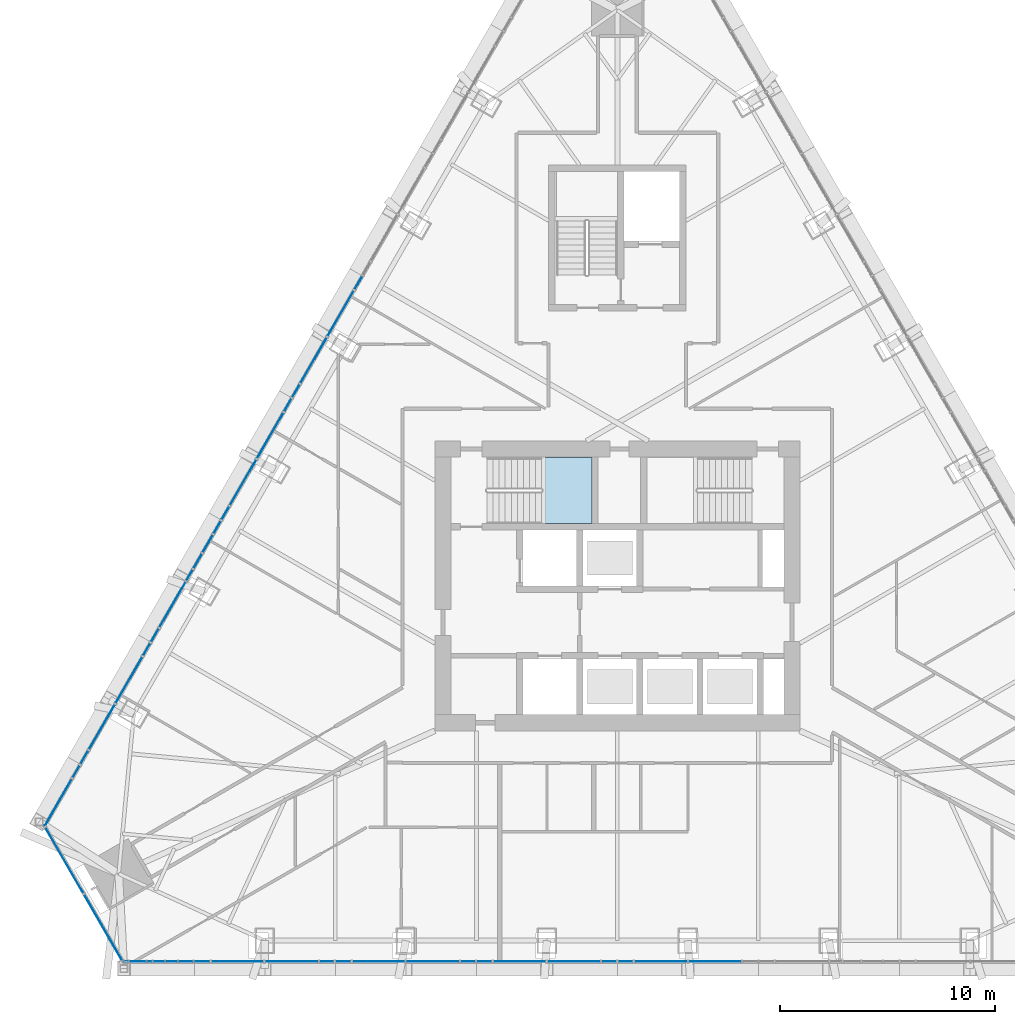
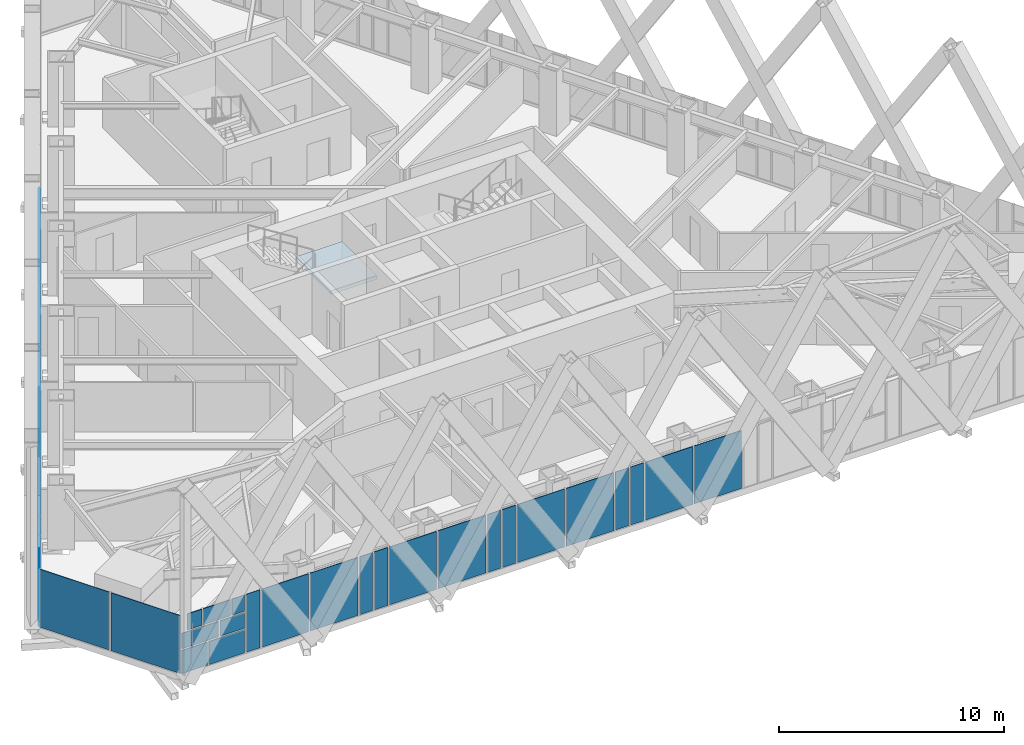
# One storey, part 14 of 25: 45 plates, 1 slab, 4 elements without a shape of their own.
"""IFC4 building model written with IfcOpenShell, lengths in metres."""

from ifc_helpers import new_model, si_unit, direction, frame, origin, place, context, subcontext, project, spatial, polyline, outline, extrude, material, layer, layer_set, type_object, element, aggregate, save


model = new_model("IFC4")

# Units and contexts
model_context = context("Model", 3, precision=1e-05, world=origin(), true_north=direction((0.0, 1.0)))
body_context = subcontext(model_context, "Body", "Model", "MODEL_VIEW")
ifc_project = project(units=[si_unit("LENGTHUNIT", "METRE"), si_unit("AREAUNIT", "SQUARE_METRE"), si_unit("VOLUMEUNIT", "CUBIC_METRE"), si_unit("PLANEANGLEUNIT", "RADIAN"), si_unit("MASSUNIT", "GRAM", prefix="KILO")], contexts=[model_context])

# Site, building, storey
site_placement = place(None, origin())
site = spatial("IfcSite", under=ifc_project, at=site_placement, CompositionType="ELEMENT")
building_placement = place(site_placement, origin())
building = spatial("IfcBuilding", under=site, at=building_placement, Name="Firuza Gate Tower and Library", CompositionType="ELEMENT")
storey_placement = place(building_placement, frame((0.0, 0.0, 270.60009765625)))
storey = spatial("IfcBuildingStorey", under=building, at=storey_placement, Name="L64", CompositionType="ELEMENT", Elevation=270.60009765625)

# Curtain wall, plates
ifc_material_1 = material(Name="Aluminium 6063-T6", Category="aluminium")
ifc_layer_1 = layer(ifc_material_1, 0.14990234375)
ifc_layer_set_1 = layer_set([ifc_layer_1], Name="Corner curtain wall, chamfers")
curtain_wall_type_1 = type_object("IfcCurtainWallType", Name="Corner curtain wall, chamfers", PredefinedType="NOTDEFINED", material=ifc_layer_set_1)
placement = place(storey_placement, origin())
curtain_wall_1 = element("IfcCurtainWall", 1, at=placement, inside=storey, type_object=curtain_wall_type_1, Name="CW4 L64 SW corner", PredefinedType="NOTDEFINED")
ifc_material_2 = material(Name="Fritted glass", Category="glass")
ifc_layer_2 = layer(ifc_material_2, 0.030029296875)
ifc_layer_set_2 = layer_set([ifc_layer_2], Name="Fritted glass unit, corners")
plate_type_1 = type_object("IfcPlateType", Name="Fritted glass unit, corners", PredefinedType="CURTAIN_PANEL", material=ifc_layer_set_2)
plate_1_placement = place(storey_placement, frame((48.341796875, 63.76953125, 0.14990234375), z_axis=(-0.866046390552, -0.49996364809, 0.0), x_axis=(0.49996364809, -0.866046390552, 0.0)))
plate_1 = element("IfcPlate", 2, at=plate_1_placement, type_object=plate_type_1, Name="Glass unit", PredefinedType="CURTAIN_PANEL", context=body_context, shape_type="SweptSolid", body=[
    extrude(outline(polyline([(0.0, 0.0), (3.563247342942594, 0.0), (3.563247342942594, 3.14990234375), (0.0, 3.14990234375), (0.0, 0.0)])), origin(), (0.0, 0.0, -1.0), 0.030029296875),
])
plate_2_placement = place(storey_placement, frame((50.163330078125, 60.614501953125, 0.14990234375), z_axis=(-0.866016723041, -0.500015035186, 0.0), x_axis=(0.500015035186, -0.866016723041, 0.0)))
plate_2 = element("IfcPlate", 3, at=plate_2_placement, type_object=plate_type_1, Name="Glass unit", PredefinedType="CURTAIN_PANEL", context=body_context, shape_type="SweptSolid", body=[
    extrude(outline(polyline([(0.0, 0.0), (3.5633694106530625, 0.0), (3.5633694106530625, 3.14990234375), (0.0, 3.14990234375), (0.0, 0.0)])), origin(), (0.0, 0.0, -1.0), 0.030029296875),
])
aggregate(curtain_wall_1, [plate_1, plate_2])

ifc_material_3 = material(Name="Aluminium 6063-T6", Category="aluminium")
ifc_layer_3 = layer(ifc_material_3, 0.14990234375)
ifc_layer_set_3 = layer_set([ifc_layer_3], Name="Unitised curtain wall, residences")
curtain_wall_type_2 = type_object("IfcCurtainWallType", Name="Unitised curtain wall, residences", PredefinedType="NOTDEFINED", material=ifc_layer_set_3)
curtain_wall_2 = element("IfcCurtainWall", 4, at=placement, inside=storey, type_object=curtain_wall_type_2, Name="CW3 L64 S face", PredefinedType="NOTDEFINED")
ifc_material_4 = material(Name="Fritted glass", Category="glass")
ifc_layer_4 = layer(ifc_material_4, 0.030029296875)
ifc_layer_set_4 = layer_set([ifc_layer_4], Name="Fritted glass unit, residences")
plate_type_2 = type_object("IfcPlateType", Name="Fritted glass unit, residences", PredefinedType="CURTAIN_PANEL", material=ifc_layer_set_4)
plate_3_placement = place(storey_placement, frame((53.400634765625, 57.486328125, 0.14990234375), z_axis=(0.0, -1.0, 0.0), x_axis=(1.0, 0.0, 0.0)))
plate_3 = element("IfcPlate", 5, at=plate_3_placement, type_object=plate_type_2, Name="Glass unit", PredefinedType="CURTAIN_PANEL", context=body_context, shape_type="SweptSolid", body=[
    extrude(outline(polyline([(0.0, 0.0), (1.826171875, 0.0), (1.826171875, 1.260009765625), (0.0, 1.260009765625), (0.0, 0.0)])), origin(), (0.0, 0.0, -1.0), 0.030029296875),
])
plate_4_placement = place(storey_placement, frame((53.97900390625, 57.486328125, 1.489990234375), z_axis=(0.0, -1.0, 0.0), x_axis=(1.0, 0.0, 0.0)))
plate_4 = element("IfcPlate", 6, at=plate_4_placement, type_object=plate_type_2, Name="Glass unit", PredefinedType="CURTAIN_PANEL", context=body_context, shape_type="SweptSolid", body=[
    extrude(outline(polyline([(0.0, 0.0), (1.247802734375, 0.0), (1.247802734375, 0.844970703125), (0.0, 0.844970703125), (0.0, 0.0)])), origin(), (0.0, 0.0, -1.0), 0.030029296875),
])
plate_5_placement = place(storey_placement, frame((52.2841796875, 57.486328125, 2.414794921875), z_axis=(0.0, -1.0, 0.0), x_axis=(1.0, 0.0, 0.0)))
plate_5 = element("IfcPlate", 7, at=plate_5_placement, type_object=plate_type_2, Name="Glass unit", PredefinedType="CURTAIN_PANEL", context=body_context, shape_type="SweptSolid", body=[
    extrude(outline(polyline([(0.0, 0.0), (0.74951171875, 0.0), (0.74951171875, 0.885009765625), (0.0, 0.885009765625), (0.0, 0.0)])), origin(), (0.0, 0.0, -1.0), 0.030029296875),
])
plate_6_placement = place(storey_placement, frame((54.58251953125, 57.486328125, 2.414794921875), z_axis=(0.0, -1.0, 0.0), x_axis=(1.0, 0.0, 0.0)))
plate_6 = element("IfcPlate", 8, at=plate_6_placement, type_object=plate_type_2, Name="Glass unit", PredefinedType="CURTAIN_PANEL", context=body_context, shape_type="SweptSolid", body=[
    extrude(outline(polyline([(0.0, 0.0), (0.644287109375, 0.0), (0.644287109375, 0.885009765625), (0.0, 0.885009765625), (0.0, 0.0)])), origin(), (0.0, 0.0, -1.0), 0.030029296875),
])
plate_7_placement = place(storey_placement, frame((55.306884765625, 57.486328125, 0.14990234375), z_axis=(0.0, -1.0, 0.0), x_axis=(1.0, 0.0, 0.0)))
plate_7 = element("IfcPlate", 9, at=plate_7_placement, type_object=plate_type_2, Name="Glass unit", PredefinedType="CURTAIN_PANEL", context=body_context, shape_type="SweptSolid", body=[
    extrude(outline(polyline([(0.0, 0.0), (0.718505859375, 0.0), (0.718505859375, 3.14990234375), (0.0, 3.14990234375), (0.0, 0.0)])), origin(), (0.0, 0.0, -1.0), 0.030029296875),
])
plate_8_placement = place(storey_placement, frame((61.14794921875, 57.486328125, 0.14990234375), z_axis=(0.0, -1.0, 0.0), x_axis=(1.0, 0.0, 0.0)))
plate_8 = element("IfcPlate", 10, at=plate_8_placement, type_object=plate_type_2, Name="Glass unit", PredefinedType="CURTAIN_PANEL", context=body_context, shape_type="SweptSolid", body=[
    extrude(outline(polyline([(0.0, 0.0), (0.65673828125, 0.0), (0.65673828125, 3.14990234375), (0.0, 3.14990234375), (0.0, 0.0)])), origin(), (0.0, 0.0, -1.0), 0.030029296875),
])
plate_9_placement = place(storey_placement, frame((61.884521484375, 57.486328125, 0.14990234375), z_axis=(0.0, -1.0, 0.0), x_axis=(1.0, 0.0, 0.0)))
plate_9 = element("IfcPlate", 11, at=plate_9_placement, type_object=plate_type_2, Name="Glass unit", PredefinedType="CURTAIN_PANEL", context=body_context, shape_type="SweptSolid", body=[
    extrude(outline(polyline([(0.0, 0.0), (0.706298828125, 0.0), (0.706298828125, 3.14990234375), (0.0, 3.14990234375), (0.0, 0.0)])), origin(), (0.0, 0.0, -1.0), 0.030029296875),
])
plate_10_placement = place(storey_placement, frame((67.713134765625, 57.486328125, 0.14990234375), z_axis=(0.0, -1.0, 0.0), x_axis=(1.0, 0.0, 0.0)))
plate_10 = element("IfcPlate", 12, at=plate_10_placement, type_object=plate_type_2, Name="Glass unit", PredefinedType="CURTAIN_PANEL", context=body_context, shape_type="SweptSolid", body=[
    extrude(outline(polyline([(0.0, 0.0), (0.669189453125, 0.0), (0.669189453125, 3.14990234375), (0.0, 3.14990234375), (0.0, 0.0)])), origin(), (0.0, 0.0, -1.0), 0.030029296875),
])
plate_11_placement = place(storey_placement, frame((68.46240234375, 57.486328125, 0.14990234375), z_axis=(0.0, -1.0, 0.0), x_axis=(1.0, 0.0, 0.0)))
plate_11 = element("IfcPlate", 13, at=plate_11_placement, type_object=plate_type_2, Name="Glass unit", PredefinedType="CURTAIN_PANEL", context=body_context, shape_type="SweptSolid", body=[
    extrude(outline(polyline([(0.0, 0.0), (0.69384765625, 0.0), (0.69384765625, 3.14990234375), (0.0, 3.14990234375), (0.0, 0.0)])), origin(), (0.0, 0.0, -1.0), 0.030029296875),
])
plate_12_placement = place(storey_placement, frame((74.278564453125, 57.486328125, 0.14990234375), z_axis=(0.0, -1.0, 0.0), x_axis=(1.0, 0.0, 0.0)))
plate_12 = element("IfcPlate", 14, at=plate_12_placement, type_object=plate_type_2, Name="Glass unit", PredefinedType="CURTAIN_PANEL", context=body_context, shape_type="SweptSolid", body=[
    extrude(outline(polyline([(0.0, 0.0), (0.681396484375, 0.0), (0.681396484375, 3.14990234375), (0.0, 3.14990234375), (0.0, 0.0)])), origin(), (0.0, 0.0, -1.0), 0.030029296875),
])
plate_13_placement = place(storey_placement, frame((75.0400390625, 57.486328125, 0.14990234375), z_axis=(0.0, -1.0, 0.0), x_axis=(1.0, 0.0, 0.0)))
plate_13 = element("IfcPlate", 15, at=plate_13_placement, type_object=plate_type_2, Name="Glass unit", PredefinedType="CURTAIN_PANEL", context=body_context, shape_type="SweptSolid", body=[
    extrude(outline(polyline([(0.0, 0.0), (0.681396484375, 0.0), (0.681396484375, 3.14990234375), (0.0, 3.14990234375), (0.0, 0.0)])), origin(), (0.0, 0.0, -1.0), 0.030029296875),
])

curtain_wall_3 = element("IfcCurtainWall", 16, at=placement, inside=storey, type_object=curtain_wall_type_2, Name="CW3 L64 W face", PredefinedType="NOTDEFINED")
plate_14_placement = place(storey_placement, frame((63.1015625, 89.418701171875, 0.14990234375), z_axis=(-0.866091865907, 0.499884866553, 0.0), x_axis=(-0.499884866553, -0.866091865907, 0.0)))
plate_14 = element("IfcPlate", 17, at=plate_14_placement, type_object=plate_type_2, Name="Glass unit", PredefinedType="CURTAIN_PANEL", context=body_context, shape_type="SweptSolid", body=[
    extrude(outline(polyline([(0.0, 0.0), (0.6940074631924555, 0.0), (0.6940074631924555, 3.14990234375), (0.0, 3.14990234375), (0.0, 0.0)])), origin(), (0.0, 0.0, -1.0), 0.030029296875),
])
plate_15_placement = place(storey_placement, frame((60.193359375, 84.381591796875, 0.14990234375), z_axis=(-0.866096087798, 0.499877551708, 0.0), x_axis=(-0.499877551708, -0.866096087798, 0.0)))
plate_15 = element("IfcPlate", 18, at=plate_15_placement, type_object=plate_type_2, Name="Glass unit", PredefinedType="CURTAIN_PANEL", context=body_context, shape_type="SweptSolid", body=[
    extrude(outline(polyline([(0.0, 0.0), (0.6813191964940453, 0.0), (0.6813191964940453, 3.14990234375), (0.0, 3.14990234375), (0.0, 0.0)])), origin(), (0.0, 0.0, -1.0), 0.030029296875),
])
plate_16_placement = place(storey_placement, frame((59.812744140625, 83.72216796875, 0.14990234375), z_axis=(-0.865940935554, 0.500146274735, 0.0), x_axis=(-0.500146274735, -0.865940935554, 0.0)))
plate_16 = element("IfcPlate", 19, at=plate_16_placement, type_object=plate_type_2, Name="Glass unit", PredefinedType="CURTAIN_PANEL", context=body_context, shape_type="SweptSolid", body=[
    extrude(outline(polyline([(0.0, 0.0), (0.681441269717985, 0.0), (0.681441269717985, 3.14990234375), (0.0, 3.14990234375), (0.0, 0.0)])), origin(), (0.0, 0.0, -1.0), 0.030029296875),
])
plate_17_placement = place(storey_placement, frame((56.910888671875, 78.69580078125, 0.14990234375), z_axis=(-0.86600392025, 0.500037208726, 0.0), x_axis=(-0.500037208726, -0.86600392025, 0.0)))
plate_17 = element("IfcPlate", 20, at=plate_17_placement, type_object=plate_type_2, Name="Glass unit", PredefinedType="CURTAIN_PANEL", context=body_context, shape_type="SweptSolid", body=[
    extrude(outline(polyline([(0.0, 0.0), (0.6937960257169237, 0.0), (0.6937960257169237, 3.14990234375), (0.0, 3.14990234375), (0.0, 0.0)])), origin(), (0.0, 0.0, -1.0), 0.030029296875),
])
plate_18_placement = place(storey_placement, frame((56.52392578125, 78.025634765625, 0.14990234375), z_axis=(-0.865970040115, 0.500095880429, 0.0), x_axis=(-0.500095880429, -0.865970040115, 0.0)))
plate_18 = element("IfcPlate", 21, at=plate_18_placement, type_object=plate_type_2, Name="Glass unit", PredefinedType="CURTAIN_PANEL", context=body_context, shape_type="SweptSolid", body=[
    extrude(outline(polyline([(0.0, 0.0), (1.6788772758018005, 0.0), (1.6788772758018005, 1.534912109375), (0.0, 1.534912109375), (0.0, 0.0)])), origin(), (0.0, 0.0, -1.0), 0.030029296875),
])
plate_19_placement = place(storey_placement, frame((56.52392578125, 78.025634765625, 1.764892578125), z_axis=(-0.865875610315, 0.500259360194, 0.0), x_axis=(-0.500259360194, -0.865875610315, 0.0)))
plate_19 = element("IfcPlate", 22, at=plate_19_placement, type_object=plate_type_2, Name="Glass unit", PredefinedType="CURTAIN_PANEL", context=body_context, shape_type="SweptSolid", body=[
    extrude(outline(polyline([(0.0, 0.0), (0.6690865249275766, 0.0), (0.6690865249275766, 1.534912109375), (0.0, 1.534912109375), (0.0, 0.0)])), origin(), (0.0, 0.0, -1.0), 0.030029296875),
])
plate_20_placement = place(storey_placement, frame((55.211669921875, 75.7529296875, 1.764892578125), z_axis=(-0.865997745606, 0.500047902311, 0.0), x_axis=(-0.500047902311, -0.865997745606, 0.0)))
plate_20 = element("IfcPlate", 23, at=plate_20_placement, type_object=plate_type_2, Name="Glass unit", PredefinedType="CURTAIN_PANEL", context=body_context, shape_type="SweptSolid", body=[
    extrude(outline(polyline([(0.0, 0.0), (0.5844166664324071, 0.0), (0.5844166664324071, 1.534912109375), (0.0, 1.534912109375), (0.0, 0.0)])), origin(), (0.0, 0.0, -1.0), 0.030029296875),
])
plate_21_placement = place(storey_placement, frame((53.628173828125, 73.01025390625, 0.14990234375), z_axis=(-0.866001427184, 0.500041526391, 0.0), x_axis=(-0.500041526391, -0.866001427184, 0.0)))
plate_21 = element("IfcPlate", 24, at=plate_21_placement, type_object=plate_type_2, Name="Glass unit", PredefinedType="CURTAIN_PANEL", context=body_context, shape_type="SweptSolid", body=[
    extrude(outline(polyline([(0.0, 0.0), (0.7064842932643166, 0.0), (0.7064842932643166, 3.14990234375), (0.0, 3.14990234375), (0.0, 0.0)])), origin(), (0.0, 0.0, -1.0), 0.030029296875),
])
plate_22_placement = place(storey_placement, frame((53.235107421875, 72.329345703125, 0.14990234375), z_axis=(-0.866061796884, 0.499936960004, 0.0), x_axis=(-0.499936960004, -0.866061796884, 0.0)))
plate_22 = element("IfcPlate", 25, at=plate_22_placement, type_object=plate_type_2, Name="Glass unit", PredefinedType="CURTAIN_PANEL", context=body_context, shape_type="SweptSolid", body=[
    extrude(outline(polyline([(0.0, 0.0), (0.6568210932483207, 0.0), (0.6568210932483207, 3.1499023437499996), (0.0, 3.1499023437499996), (0.0, 0.0)])), origin(), (0.0, 0.0, -1.0), 0.030029296875),
])
plate_23_placement = place(storey_placement, frame((50.345458984375, 67.324462890625, 0.14990234375), z_axis=(-0.86597624137, 0.500085142133, 0.0), x_axis=(-0.500085142133, -0.86597624137, 0.0)))
plate_23 = element("IfcPlate", 26, at=plate_23_placement, type_object=plate_type_2, Name="Glass unit", PredefinedType="CURTAIN_PANEL", context=body_context, shape_type="SweptSolid", body=[
    extrude(outline(polyline([(0.0, 0.0), (0.7186276290216428, 0.0), (0.7186276290216428, 3.14990234375), (0.0, 3.14990234375), (0.0, 0.0)])), origin(), (0.0, 0.0, -1.0), 0.030029296875),
])
plate_24_placement = place(storey_placement, frame((49.9462890625, 66.6328125, 0.14990234375), z_axis=(-0.865996321171, 0.50005036918, 0.0), x_axis=(-0.50005036918, -0.865996321171, 0.0)))
plate_24 = element("IfcPlate", 27, at=plate_24_placement, type_object=plate_type_2, Name="Glass unit", PredefinedType="CURTAIN_PANEL", context=body_context, shape_type="SweptSolid", body=[
    extrude(outline(polyline([(0.0, 0.0), (0.6444663275185896, 0.0), (0.6444663275185896, 3.149902343750001), (0.0, 3.149902343750001), (0.0, 0.0)])), origin(), (0.0, 0.0, -1.0), 0.030029296875),
])

# Plate
ifc_material_5 = material(Name="Glazed ceramic tile")
ifc_layer_5 = layer(ifc_material_5, 0.030029296875)
ifc_layer_set_5 = layer_set([ifc_layer_5], Name="Opaque ceramic panel, residences")
plate_type_3 = type_object("IfcPlateType", Name="Opaque ceramic panel, residences", PredefinedType="CURTAIN_PANEL", material=ifc_layer_set_5)
plate_25_placement = place(storey_placement, frame((52.01806640625, 57.486328125, 0.14990234375), z_axis=(0.0, -1.0, 0.0), x_axis=(1.0, 0.0, 0.0)))
plate_25 = element("IfcPlate", 28, at=plate_25_placement, type_object=plate_type_3, Name="Opaque ceramic panel", PredefinedType="CURTAIN_PANEL", context=body_context, shape_type="SweptSolid", body=[
    extrude(outline(polyline([(0.0, 0.0), (1.302734375, 0.0), (1.302734375, 1.260009765625), (0.0, 1.260009765625), (0.0, 0.0)])), origin(), (0.0, 0.0, -1.0), 0.030029296875),
])

plate_26_placement = place(storey_placement, frame((52.01806640625, 57.486328125, 1.489990234375), z_axis=(0.0, -1.0, 0.0), x_axis=(1.0, 0.0, 0.0)))
plate_26 = element("IfcPlate", 29, at=plate_26_placement, type_object=plate_type_3, Name="Opaque ceramic panel", PredefinedType="CURTAIN_PANEL", context=body_context, shape_type="SweptSolid", body=[
    extrude(outline(polyline([(0.0, 0.0), (1.881103515625, 0.0), (1.881103515625, 0.844970703125), (0.0, 0.844970703125), (0.0, 0.0)])), origin(), (0.0, 0.0, -1.0), 0.030029296875),
])

plate_27_placement = place(storey_placement, frame((53.113525390625, 57.486328125, 2.414794921875), z_axis=(0.0, -1.0, 0.0), x_axis=(1.0, 0.0, 0.0)))
plate_27 = element("IfcPlate", 30, at=plate_27_placement, type_object=plate_type_3, Name="Opaque ceramic panel", PredefinedType="CURTAIN_PANEL", context=body_context, shape_type="SweptSolid", body=[
    extrude(outline(polyline([(0.0, 0.0), (1.388916015625, 0.0), (1.388916015625, 0.885009765625), (0.0, 0.885009765625), (0.0, 0.0)])), origin(), (0.0, 0.0, -1.0), 0.030029296875),
])

plate_28_placement = place(storey_placement, frame((56.10546875, 57.486328125, 0.14990234375), z_axis=(0.0, -1.0, 0.0), x_axis=(1.0, 0.0, 0.0)))
plate_28 = element("IfcPlate", 31, at=plate_28_placement, type_object=plate_type_3, Name="Opaque ceramic panel", PredefinedType="CURTAIN_PANEL", context=body_context, shape_type="SweptSolid", body=[
    extrude(outline(polyline([(0.0, 0.0), (2.41015625, 0.0), (2.41015625, 3.14990234375), (0.0, 3.14990234375), (0.0, 0.0)])), origin(), (0.0, 0.0, -1.0), 0.030029296875),
])

plate_29_placement = place(storey_placement, frame((58.595703125, 57.486328125, 0.14990234375), z_axis=(0.0, -1.0, 0.0), x_axis=(1.0, 0.0, 0.0)))
plate_29 = element("IfcPlate", 32, at=plate_29_placement, type_object=plate_type_3, Name="Opaque ceramic panel", PredefinedType="CURTAIN_PANEL", context=body_context, shape_type="SweptSolid", body=[
    extrude(outline(polyline([(0.0, 0.0), (2.47216796875, 0.0), (2.47216796875, 3.14990234375), (0.0, 3.14990234375), (0.0, 0.0)])), origin(), (0.0, 0.0, -1.0), 0.030029296875),
])

plate_30_placement = place(storey_placement, frame((62.6708984375, 57.486328125, 0.14990234375), z_axis=(0.0, -1.0, 0.0), x_axis=(1.0, 0.0, 0.0)))
plate_30 = element("IfcPlate", 33, at=plate_30_placement, type_object=plate_type_3, Name="Opaque ceramic panel", PredefinedType="CURTAIN_PANEL", context=body_context, shape_type="SweptSolid", body=[
    extrude(outline(polyline([(0.0, 0.0), (2.422607421875, 0.0), (2.422607421875, 3.14990234375), (0.0, 3.14990234375), (0.0, 0.0)])), origin(), (0.0, 0.0, -1.0), 0.030029296875),
])

plate_31_placement = place(storey_placement, frame((65.17333984375, 57.486328125, 0.14990234375), z_axis=(0.0, -1.0, 0.0), x_axis=(1.0, 0.0, 0.0)))
plate_31 = element("IfcPlate", 34, at=plate_31_placement, type_object=plate_type_3, Name="Opaque ceramic panel", PredefinedType="CURTAIN_PANEL", context=body_context, shape_type="SweptSolid", body=[
    extrude(outline(polyline([(0.0, 0.0), (2.459716796875, 0.0), (2.459716796875, 3.14990234375), (0.0, 3.14990234375), (0.0, 0.0)])), origin(), (0.0, 0.0, -1.0), 0.030029296875),
])

plate_32_placement = place(storey_placement, frame((69.236083984375, 57.486328125, 0.14990234375), z_axis=(0.0, -1.0, 0.0), x_axis=(1.0, 0.0, 0.0)))
plate_32 = element("IfcPlate", 35, at=plate_32_placement, type_object=plate_type_3, Name="Opaque ceramic panel", PredefinedType="CURTAIN_PANEL", context=body_context, shape_type="SweptSolid", body=[
    extrude(outline(polyline([(0.0, 0.0), (2.43505859375, 0.0), (2.43505859375, 3.14990234375), (0.0, 3.14990234375), (0.0, 0.0)])), origin(), (0.0, 0.0, -1.0), 0.030029296875),
])

plate_33_placement = place(storey_placement, frame((71.751220703125, 57.486328125, 0.14990234375), z_axis=(0.0, -1.0, 0.0), x_axis=(1.0, 0.0, 0.0)))
plate_33 = element("IfcPlate", 36, at=plate_33_placement, type_object=plate_type_3, Name="Opaque ceramic panel", PredefinedType="CURTAIN_PANEL", context=body_context, shape_type="SweptSolid", body=[
    extrude(outline(polyline([(0.0, 0.0), (2.447265625, 0.0), (2.447265625, 3.14990234375), (0.0, 3.14990234375), (0.0, 0.0)])), origin(), (0.0, 0.0, -1.0), 0.030029296875),
])

plate_34_placement = place(storey_placement, frame((75.801513671875, 57.486328125, 0.14990234375), z_axis=(0.0, -1.0, 0.0), x_axis=(1.0, 0.0, 0.0)))
plate_34 = element("IfcPlate", 37, at=plate_34_placement, type_object=plate_type_3, Name="Opaque ceramic panel", PredefinedType="CURTAIN_PANEL", context=body_context, shape_type="SweptSolid", body=[
    extrude(outline(polyline([(0.0, 0.0), (2.447265625, 0.0), (2.447265625, 3.14990234375), (0.0, 3.14990234375), (0.0, 0.0)])), origin(), (0.0, 0.0, -1.0), 0.030029296875),
])

plate_35_placement = place(storey_placement, frame((78.328857421875, 57.486328125, 0.14990234375), z_axis=(0.0, -1.0, 0.0), x_axis=(1.0, 0.0, 0.0)))
plate_35 = element("IfcPlate", 38, at=plate_35_placement, type_object=plate_type_3, Name="Opaque ceramic panel", PredefinedType="CURTAIN_PANEL", context=body_context, shape_type="SweptSolid", body=[
    extrude(outline(polyline([(0.0, 0.0), (2.43505859375, 0.0), (2.43505859375, 3.14990234375), (0.0, 3.14990234375), (0.0, 0.0)])), origin(), (0.0, 0.0, -1.0), 0.030029296875),
])

aggregate(curtain_wall_2, [plate_25, plate_3, plate_26, plate_4, plate_5, plate_27, plate_6, plate_7, plate_28, plate_29, plate_8, plate_9, plate_30, plate_31, plate_10, plate_11, plate_32, plate_33, plate_12, plate_13, plate_34, plate_35])

plate_36_placement = place(storey_placement, frame((62.714599609375, 88.74853515625, 0.14990234375), z_axis=(-0.866031986241, 0.499988598678, 0.0), x_axis=(-0.499988598678, -0.866031986241, 0.0)))
plate_36 = element("IfcPlate", 39, at=plate_36_placement, type_object=plate_type_3, Name="Opaque ceramic panel", PredefinedType="CURTAIN_PANEL", context=body_context, shape_type="SweptSolid", body=[
    extrude(outline(polyline([(0.0, 0.0), (2.4351141207896343, 0.0), (2.4351141207896343, 3.1499023437499996), (0.0, 3.1499023437499996), (0.0, 0.0)])), origin(), (0.0, 0.0, -1.0), 0.030029296875),
])

plate_37_placement = place(storey_placement, frame((61.45703125, 86.5703125, 0.14990234375), z_axis=(-0.866024439905, 0.500001669485, 0.0), x_axis=(-0.500001669485, -0.866024439905, 0.0)))
plate_37 = element("IfcPlate", 40, at=plate_37_placement, type_object=plate_type_3, Name="Opaque ceramic panel", PredefinedType="CURTAIN_PANEL", context=body_context, shape_type="SweptSolid", body=[
    extrude(outline(polyline([(0.0, 0.0), (2.447257453679526, 0.0), (2.447257453679526, 3.14990234375), (0.0, 3.14990234375), (0.0, 0.0)])), origin(), (0.0, 0.0, -1.0), 0.030029296875),
])

plate_38_placement = place(storey_placement, frame((59.431884765625, 83.062744140625, 0.14990234375), z_axis=(-0.866024439905, 0.500001669485, 0.0), x_axis=(-0.500001669485, -0.866024439905, 0.0)))
plate_38 = element("IfcPlate", 41, at=plate_38_placement, type_object=plate_type_3, Name="Opaque ceramic panel", PredefinedType="CURTAIN_PANEL", context=body_context, shape_type="SweptSolid", body=[
    extrude(outline(polyline([(0.0, 0.0), (2.447257453679526, 0.0), (2.447257453679526, 3.14990234375), (0.0, 3.14990234375), (0.0, 0.0)])), origin(), (0.0, 0.0, -1.0), 0.030029296875),
])

plate_39_placement = place(storey_placement, frame((58.168212890625, 80.8740234375, 0.14990234375), z_axis=(-0.866031986241, 0.499988598678, 0.0), x_axis=(-0.499988598678, -0.866031986241, 0.0)))
plate_39 = element("IfcPlate", 42, at=plate_39_placement, type_object=plate_type_3, Name="Opaque ceramic panel", PredefinedType="CURTAIN_PANEL", context=body_context, shape_type="SweptSolid", body=[
    extrude(outline(polyline([(0.0, 0.0), (2.4351141207896343, 0.0), (2.4351141207896343, 3.1499023437499996), (0.0, 3.1499023437499996), (0.0, 0.0)])), origin(), (0.0, 0.0, -1.0), 0.030029296875),
])

plate_40_placement = place(storey_placement, frame((55.644287109375, 76.50244140625, 0.14990234375), z_axis=(-0.86604818453, 0.499960540515, 0.0), x_axis=(-0.499960540515, -0.86604818453, 0.0)))
plate_40 = element("IfcPlate", 43, at=plate_40_placement, type_object=plate_type_3, Name="Opaque ceramic panel", PredefinedType="CURTAIN_PANEL", context=body_context, shape_type="SweptSolid", body=[
    extrude(outline(polyline([(0.0, 0.0), (1.4498214496649262, 0.0), (1.4498214496649262, 1.534912109375), (0.0, 1.534912109375), (0.0, 0.0)])), origin(), (0.0, 0.0, -1.0), 0.030029296875),
])

plate_41_placement = place(storey_placement, frame((56.1494140625, 77.376953125, 1.764892578125), z_axis=(-0.865999876214, 0.500044212443, 0.0), x_axis=(-0.500044212443, -0.865999876214, 0.0)))
plate_41 = element("IfcPlate", 44, at=plate_41_placement, type_object=plate_type_3, Name="Opaque ceramic panel", PredefinedType="CURTAIN_PANEL", context=body_context, shape_type="SweptSolid", body=[
    extrude(outline(polyline([(0.0, 0.0), (1.7952514113481883, 0.0), (1.7952514113481883, 1.534912109375), (0.0, 1.534912109375), (0.0, 0.0)])), origin(), (0.0, 0.0, -1.0), 0.030029296875),
])

plate_42_placement = place(storey_placement, frame((54.87939453125, 75.177490234375, 0.14990234375), z_axis=(-0.866058051532, 0.499943448179, 0.0), x_axis=(-0.499943448179, -0.866058051532, 0.0)))
plate_42 = element("IfcPlate", 45, at=plate_42_placement, type_object=plate_type_3, Name="Opaque ceramic panel", PredefinedType="CURTAIN_PANEL", context=body_context, shape_type="SweptSolid", body=[
    extrude(outline(polyline([(0.0, 0.0), (2.4226372903514366, 0.0), (2.4226372903514366, 3.14990234375), (0.0, 3.14990234375), (0.0, 0.0)])), origin(), (0.0, 0.0, -1.0), 0.030029296875),
])

plate_43_placement = place(storey_placement, frame((52.86669921875, 71.691162109375, 0.14990234375), z_axis=(-0.866016188482, 0.500015961032, 0.0), x_axis=(-0.500015961032, -0.866016188482, 0.0)))
plate_43 = element("IfcPlate", 46, at=plate_43_placement, type_object=plate_type_3, Name="Opaque ceramic panel", PredefinedType="CURTAIN_PANEL", context=body_context, shape_type="SweptSolid", body=[
    extrude(outline(polyline([(0.0, 0.0), (2.472089054566765, 0.0), (2.472089054566765, 3.14990234375), (0.0, 3.14990234375), (0.0, 0.0)])), origin(), (0.0, 0.0, -1.0), 0.030029296875),
])

plate_44_placement = place(storey_placement, frame((51.590576171875, 69.48095703125, 0.14990234375), z_axis=(-0.866015203027, 0.500017667814, 0.0), x_axis=(-0.500017667814, -0.866015203027, 0.0)))
plate_44 = element("IfcPlate", 47, at=plate_44_placement, type_object=plate_type_3, Name="Opaque ceramic panel", PredefinedType="CURTAIN_PANEL", context=body_context, shape_type="SweptSolid", body=[
    extrude(outline(polyline([(0.0, 0.0), (2.4100710886248757, 0.0), (2.4100710886248757, 3.14990234375), (0.0, 3.14990234375), (0.0, 0.0)])), origin(), (0.0, 0.0, -1.0), 0.030029296875),
])

plate_45_placement = place(storey_placement, frame((49.583984375, 66.00537109375, 0.14990234375), z_axis=(-0.86603339999, 0.499986149909, 0.0), x_axis=(-0.499986149909, -0.86603339999, 0.0)))
plate_45 = element("IfcPlate", 48, at=plate_45_placement, type_object=plate_type_3, Name="Opaque ceramic panel", PredefinedType="CURTAIN_PANEL", context=body_context, shape_type="SweptSolid", body=[
    extrude(outline(polyline([(0.0, 0.0), (2.4844438195443415, 0.0), (2.4844438195443415, 3.14990234375), (0.0, 3.14990234375), (0.0, 0.0)])), origin(), (0.0, 0.0, -1.0), 0.030029296875),
])

aggregate(curtain_wall_3, [plate_14, plate_36, plate_37, plate_15, plate_16, plate_38, plate_39, plate_17, plate_18, plate_40, plate_19, plate_41, plate_20, plate_42, plate_21, plate_22, plate_43, plate_44, plate_23, plate_24, plate_45])

# Stair, slab
ifc_material_6 = material(Name="Concrete C35/45", Category="concrete")
stair_type = type_object("IfcStairType", Name="Exit stair ST8", PredefinedType="HALF_TURN_STAIR", material=ifc_material_6)
stair = element("IfcStair", 49, at=placement, inside=storey, type_object=stair_type, Name="L64 Stair ST1", PredefinedType="HALF_TURN_STAIR")
ifc_material_7 = material(Name="Concrete C35/45", Category="concrete")
ifc_layer_6 = layer(ifc_material_7, 0.199951171875)
ifc_layer_set_6 = layer_set([ifc_layer_6], Name="Stair landing 200")
slab_type = type_object("IfcSlabType", Name="Stair landing 200", PredefinedType="LANDING", material=ifc_layer_set_6)
slab_placement = place(storey_placement, frame((0.0, 0.0, 1.5498046875)))
slab = element("IfcSlab", 50, at=slab_placement, type_object=slab_type, Name="ST1 landing 1", PredefinedType="LANDING", context=body_context, shape_type="SweptSolid", body=[
    extrude(outline(polyline([(71.4599609375, 77.89990234375), (73.81005859375, 77.89990234375), (73.81005859375, 80.97998046875), (71.4599609375, 80.97998046875), (71.4599609375, 77.89990234375)])), origin(), (0.0, 0.0, 1.0), 0.2001953125),
])
aggregate(stair, [slab])

save(model, "model.ifc")
